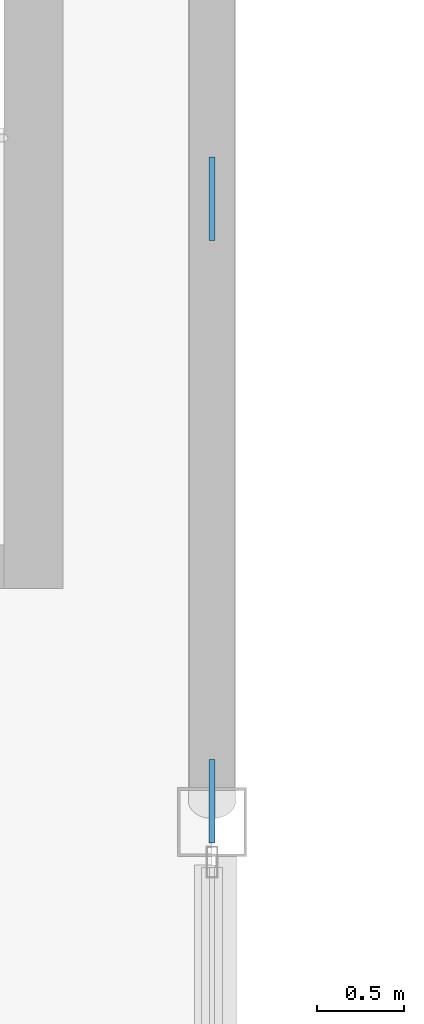
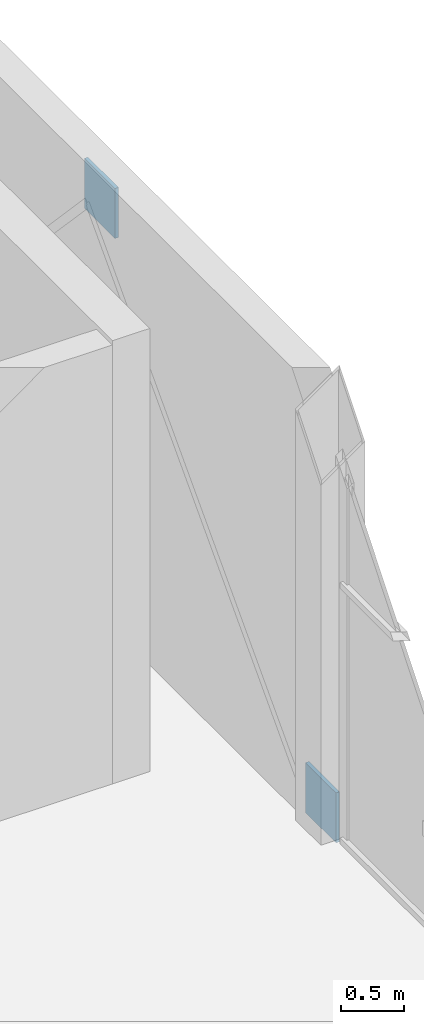
# One storey, part 105 of 151: 2 plates.
"""IFC4 building model written with IfcOpenShell, lengths in metres."""

from ifc_helpers import new_model, si_unit, direction, frame, origin, origin_2d, place, context, subcontext, project, spatial, rectangle, extrude, material, layer, layer_set, type_object, element, save


model = new_model("IFC4")

# Units and contexts
model_context = context("Model", 3, precision=1e-05, world=origin(), true_north=direction((0.0, 1.0)))
body_context = subcontext(model_context, "Body", "Model", "MODEL_VIEW")
ifc_project = project(units=[si_unit("LENGTHUNIT", "METRE"), si_unit("AREAUNIT", "SQUARE_METRE"), si_unit("VOLUMEUNIT", "CUBIC_METRE"), si_unit("PLANEANGLEUNIT", "RADIAN"), si_unit("MASSUNIT", "GRAM", prefix="KILO")], contexts=[model_context])

# Site, building, storey
site_placement = place(None, origin())
site = spatial("IfcSite", under=ifc_project, at=site_placement, CompositionType="ELEMENT")
building_placement = place(site_placement, origin())
building = spatial("IfcBuilding", under=site, at=building_placement, Name="Celestram Park Convention Centre", CompositionType="ELEMENT")
storey_placement = place(building_placement, frame((0.0, 0.0, 10.800048828125)))
storey = spatial("IfcBuildingStorey", under=building, at=storey_placement, Name="L02", CompositionType="ELEMENT", Elevation=10.800048828125)

# Plates
ifc_material = material(Name="Steel ASTM A572 Grade 50", Category="steel")
ifc_layer = layer(ifc_material, 0.031982421875)
ifc_layer_set = layer_set([ifc_layer], Name="Steel ASTM A572 Grade 50")
plate_type = type_object("IfcPlateType", Name="STR-PLT-GP32", PredefinedType="USERDEFINED", material=ifc_layer_set)
for number, where, z_axis, x_axis, name in (
    (1, (216.0, 126.0, 3.60986328125), (0.0, 0.0, 1.0), (0.0, 1.0, 0.0), "Chevron brace apex gusset GP-L02-526"),
    (2, (216.0, 122.52001953125, -0.090087890625), (0.0, 0.0, 1.0), (0.0, 1.0, 0.0), "Chevron brace base gusset GP-L02-527"),
):
    element("IfcPlate", number, at=place(storey_placement, frame(where, z_axis=z_axis, x_axis=x_axis)), inside=storey, type_object=plate_type, Name=name, ObjectType="GUSSET_PLATE", PredefinedType="USERDEFINED", context=body_context, shape_type="SweptSolid", body=[
        extrude(rectangle(XDim=0.47998046875, YDim=0.031982421875, at=origin_2d()), origin(), (0.0, 0.0, 1.0), 0.47998046875),
    ])

save(model, "model.ifc")
